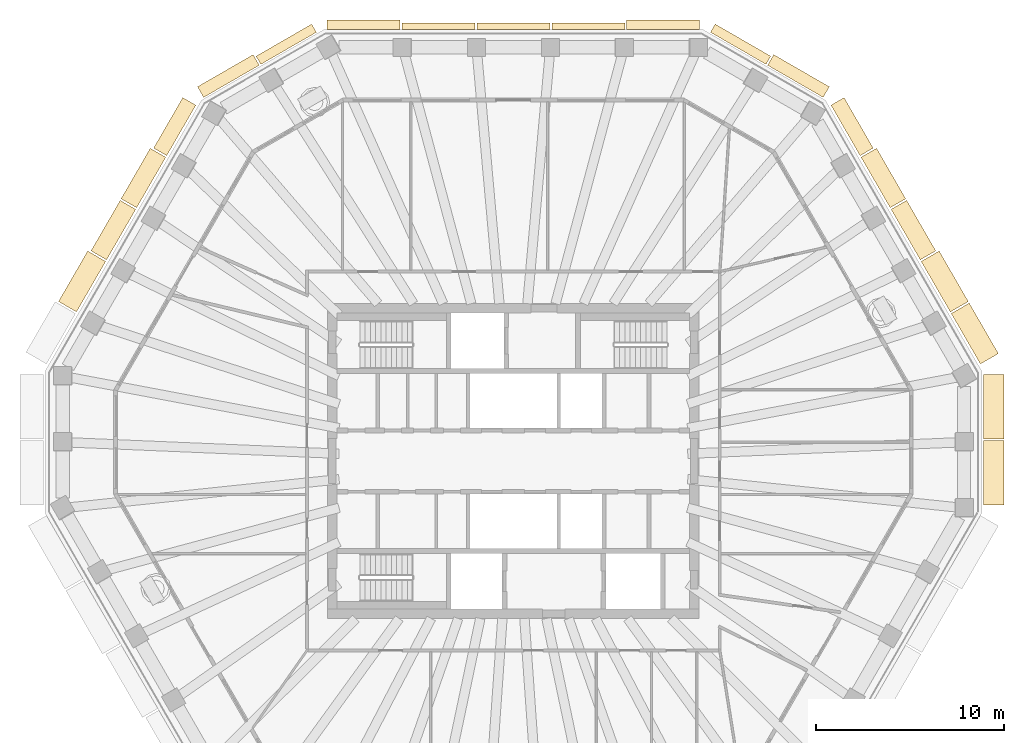
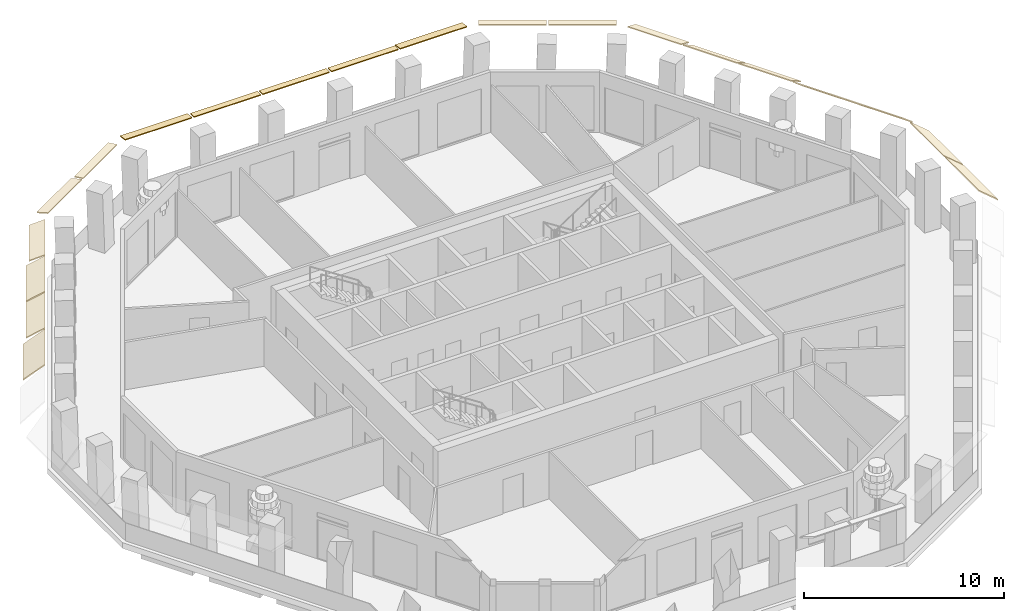
# One storey, part 9 of 11: 20 coverings.
"""IFC4 building model written with IfcOpenShell, lengths in metres."""

from ifc_helpers import new_model, si_unit, direction, frame, origin, place, context, subcontext, project, spatial, polyline, outline, extrude, material, layer, layer_set, type_object, element, save


model = new_model("IFC4")

# Units and contexts
model_context = context("Model", 3, precision=1e-05, world=origin(), true_north=direction((0.0, 1.0)))
body_context = subcontext(model_context, "Body", "Model", "MODEL_VIEW")
ifc_project = project(units=[si_unit("LENGTHUNIT", "METRE"), si_unit("AREAUNIT", "SQUARE_METRE"), si_unit("VOLUMEUNIT", "CUBIC_METRE"), si_unit("PLANEANGLEUNIT", "RADIAN"), si_unit("MASSUNIT", "GRAM", prefix="KILO")], contexts=[model_context])

# Site, building, storey
site_placement = place(None, origin())
site = spatial("IfcSite", under=ifc_project, at=site_placement, CompositionType="ELEMENT")
building_placement = place(site_placement, origin())
building = spatial("IfcBuilding", under=site, at=building_placement, Name="Frailejon Research Tower", CompositionType="ELEMENT")
storey_placement = place(building_placement, frame((0.0, 0.0, 295.0)))
storey = spatial("IfcBuildingStorey", under=building, at=storey_placement, Name="L65", CompositionType="ELEMENT", Elevation=295.0)

# Coverings
ifc_material_1 = material(Name="Precast concrete C50/60", Category="concrete")
ifc_layer_1 = layer(ifc_material_1, 0.06005859375)
ifc_layer_set_1 = layer_set([ifc_layer_1], Name="Brim blade depth 1100")
covering_type_1 = type_object("IfcCoveringType", Name="Brim blade depth 1100", PredefinedType="CLADDING", material=ifc_layer_set_1)
covering_1_placement = place(storey_placement, frame((24.927001953125, 1.081298828125, 3.85009765625), z_axis=(0.0, -1.0, 0.0), x_axis=(1.0, 0.0, 0.0)))
element("IfcCovering", 1, at=covering_1_placement, inside=storey, type_object=covering_type_1, Name="Brim blade L65", PredefinedType="CLADDING", context=body_context, shape_type="SweptSolid", body=[
    extrude(outline(polyline([(0.0, -0.078369140625), (1.10009765625, -1.001220703125), (1.10009765625, -0.923095703125), (0.0, 0.0), (0.0, -0.078369140625)])), origin(), (0.0, 0.0, 1.0), 3.40185546875),
])
covering_2_placement = place(storey_placement, frame((24.927001953125, 4.583251953125, 3.85009765625), z_axis=(0.0, -1.0, 0.0), x_axis=(1.0, 0.0, 0.0)))
element("IfcCovering", 2, at=covering_2_placement, inside=storey, type_object=covering_type_1, Name="Brim blade L65", PredefinedType="CLADDING", context=body_context, shape_type="SweptSolid", body=[
    extrude(outline(polyline([(0.0, -0.078369140625), (1.10009765625, -1.001220703125), (1.10009765625, -0.923095703125), (0.0, 0.0), (0.0, -0.078369140625)])), origin(), (0.0, 0.0, 1.0), 3.402099609375),
])
for number, where, z_axis, x_axis, name in (
    (3, (23.2294921875, 7.827880859375, 3.85009765625), (0.499995581785, -0.866027954627, 0.0), (0.866027954627, 0.499995581785, 0.0), "Brim blade L65"),
    (4, (21.63427734375, 10.5908203125, 3.85009765625), (0.500009154284, -0.866020118492, 0.0), (0.866020118492, 0.500009154284, 0.0), "Brim blade L65"),
    (5, (-23.179443359375, 7.91455078125, 3.85009765625), (0.500009154284, 0.866020118492, 0.0), (-0.866020118492, 0.500009154284, 0.0), "Brim blade L65"),
):
    element("IfcCovering", number, at=place(storey_placement, frame(where, z_axis=z_axis, x_axis=x_axis)), inside=storey, type_object=covering_type_1, Name=name, PredefinedType="CLADDING", context=body_context, shape_type="SweptSolid", body=[
        extrude(outline(polyline([(0.0, -0.078369140625), (1.10009765625, -1.001220703125), (1.10009765625, -0.923095703125), (0.0, 0.0), (0.0, -0.078369140625)])), origin(), (0.0, 0.0, 1.0), 3.09033203125),
    ])
ifc_material_2 = material(Name="Precast concrete C50/60", Category="concrete")
ifc_layer_2 = layer(ifc_material_2, 0.06005859375)
ifc_layer_set_2 = layer_set([ifc_layer_2], Name="Brim blade depth 350")
covering_type_2 = type_object("IfcCoveringType", Name="Brim blade depth 350", PredefinedType="CLADDING", material=ifc_layer_set_2)
for number, where, z_axis, x_axis, name in (
    (6, (2.037109375, 22.89990234375, 3.85009765625), (1.0, 0.0, 0.0), (0.0, 1.0, 0.0), "Brim blade L65"),
    (7, (-1.93701171875, 22.89990234375, 3.85009765625), (1.0, 0.0, 0.0), (0.0, 1.0, 0.0), "Brim blade L65"),
    (8, (-5.911376953125, 22.89990234375, 3.85009765625), (1.0, 0.0, 0.0), (0.0, 1.0, 0.0), "Brim blade L65"),
):
    element("IfcCovering", number, at=place(storey_placement, frame(where, z_axis=z_axis, x_axis=x_axis)), inside=storey, type_object=covering_type_2, Name=name, PredefinedType="CLADDING", context=body_context, shape_type="SweptSolid", body=[
        extrude(outline(polyline([(0.0, -0.06005859375), (0.35009765625, -0.06005859375), (0.35009765625, 0.0), (0.0, 0.0), (0.0, -0.06005859375)])), origin(), (0.0, 0.0, 1.0), 3.874267578125),
    ])
ifc_material_3 = material(Name="Precast concrete C50/60", Category="concrete")
ifc_layer_3 = layer(ifc_material_3, 0.06005859375)
ifc_layer_set_3 = layer_set([ifc_layer_3], Name="Brim blade depth 500")
covering_type_3 = type_object("IfcCoveringType", Name="Brim blade depth 500", PredefinedType="CLADDING", material=ifc_layer_set_3)
covering_3_placement = place(storey_placement, frame((10.453857421875, 22.747802734375, 3.85009765625), z_axis=(0.866023907216, -0.500002592124, 0.0), x_axis=(0.500002592124, 0.866023907216, 0.0)))
element("IfcCovering", 9, at=covering_3_placement, inside=storey, type_object=covering_type_3, Name="Brim blade L65", PredefinedType="CLADDING", context=body_context, shape_type="SweptSolid", body=[
    extrude(outline(polyline([(0.0, -0.060546875), (0.5, -0.130859375), (0.5, -0.0703125), (0.0, 0.0), (0.0, -0.060546875)])), origin(), (0.0, 0.0, 1.0), 3.402099609375),
])
for number, where, z_axis, x_axis, name in (
    (10, (6.01123046875, 22.89990234375, 3.85009765625), (1.0, 0.0, 0.0), (0.0, 1.0, 0.0), "Brim blade L65"),
    (11, (-9.885498046875, 22.89990234375, 3.85009765625), (1.0, 0.0, 0.0), (0.0, 1.0, 0.0), "Brim blade L65"),
):
    element("IfcCovering", number, at=place(storey_placement, frame(where, z_axis=z_axis, x_axis=x_axis)), inside=storey, type_object=covering_type_3, Name=name, PredefinedType="CLADDING", context=body_context, shape_type="SweptSolid", body=[
        extrude(outline(polyline([(0.0, -0.060546875), (0.5, -0.130859375), (0.5, -0.0703125), (0.0, 0.0), (0.0, -0.060546875)])), origin(), (0.0, 0.0, 1.0), 3.874267578125),
    ])
covering_4_placement = place(storey_placement, frame((-13.39990234375, 21.046630859375, 3.85009765625), z_axis=(0.866023907216, 0.500002592124, 0.0), x_axis=(-0.500002592124, 0.866023907216, 0.0)))
element("IfcCovering", 12, at=covering_4_placement, inside=storey, type_object=covering_type_3, Name="Brim blade L65", PredefinedType="CLADDING", context=body_context, shape_type="SweptSolid", body=[
    extrude(outline(polyline([(0.0, -0.060546875), (0.5, -0.130859375), (0.5, -0.0703125), (0.0, 0.0), (0.0, -0.060546875)])), origin(), (0.0, 0.0, 1.0), 3.402099609375),
])
ifc_material_4 = material(Name="Precast concrete C50/60", Category="concrete")
ifc_layer_4 = layer(ifc_material_4, 0.06005859375)
ifc_layer_set_4 = layer_set([ifc_layer_4], Name="Brim blade depth 650")
covering_type_4 = type_object("IfcCoveringType", Name="Brim blade depth 650", PredefinedType="CLADDING", material=ifc_layer_set_4)
for number, where, z_axis, x_axis, name in (
    (13, (13.486572265625, 20.99658203125, 3.85009765625), (0.866023907216, -0.500002592124, 0.0), (0.500002592124, 0.866023907216, 0.0), "Brim blade L65"),
    (14, (-16.432861328125, 19.295654296875, 3.85009765625), (0.866023907216, 0.500002592124, 0.0), (-0.500002592124, 0.866023907216, 0.0), "Brim blade L65"),
):
    element("IfcCovering", number, at=place(storey_placement, frame(where, z_axis=z_axis, x_axis=x_axis)), inside=storey, type_object=covering_type_4, Name=name, PredefinedType="CLADDING", context=body_context, shape_type="SweptSolid", body=[
        extrude(outline(polyline([(0.0, -0.0625), (0.64990234375, -0.248779296875), (0.64990234375, -0.186279296875), (0.0, 0.0), (0.0, -0.0625)])), origin(), (0.0, 0.0, 1.0), 3.402099609375),
    ])
ifc_material_5 = material(Name="Precast concrete C50/60", Category="concrete")
ifc_layer_5 = layer(ifc_material_5, 0.06005859375)
ifc_layer_set_5 = layer_set([ifc_layer_5], Name="Brim blade depth 800")
covering_type_5 = type_object("IfcCoveringType", Name="Brim blade depth 800", PredefinedType="CLADDING", material=ifc_layer_set_5)
for number, where, z_axis, x_axis, name in (
    (15, (16.848876953125, 18.879638671875, 3.85009765625), (0.499985645962, -0.866033690934, 0.0), (0.866033690934, 0.499985645962, 0.0), "Brim blade L65"),
    (16, (-18.393798828125, 16.203369140625, 3.85009765625), (0.499985645962, 0.866033690934, 0.0), (-0.866033690934, 0.499985645962, 0.0), "Brim blade L65"),
):
    element("IfcCovering", number, at=place(storey_placement, frame(where, z_axis=z_axis, x_axis=x_axis)), inside=storey, type_object=covering_type_5, Name=name, PredefinedType="CLADDING", context=body_context, shape_type="SweptSolid", body=[
        extrude(outline(polyline([(0.0, -0.065673828125), (0.800048828125, -0.421875), (0.800048828125, -0.356201171875), (0.0, 0.0), (0.0, -0.065673828125)])), origin(), (0.0, 0.0, 1.0), 3.09033203125),
    ])
ifc_material_6 = material(Name="Precast concrete C50/60", Category="concrete")
ifc_layer_6 = layer(ifc_material_6, 0.06005859375)
ifc_layer_set_6 = layer_set([ifc_layer_6], Name="Brim blade depth 950")
covering_type_6 = type_object("IfcCoveringType", Name="Brim blade depth 950", PredefinedType="CLADDING", material=ifc_layer_set_6)
for number, where, z_axis, x_axis, name in (
    (17, (20.0390625, 13.353759765625, 3.85009765625), (0.500009154284, -0.866020118492, 0.0), (0.866020118492, 0.500009154284, 0.0), "Brim blade L65"),
    (18, (18.44384765625, 16.11669921875, 3.85009765625), (0.499995581785, -0.866027954627, 0.0), (0.866027954627, 0.499995581785, 0.0), "Brim blade L65"),
    (19, (-19.989013671875, 13.4404296875, 3.85009765625), (0.499995581785, 0.866027954627, 0.0), (-0.866027954627, 0.499995581785, 0.0), "Brim blade L65"),
    (20, (-21.584228515625, 10.677490234375, 3.85009765625), (0.500009154284, 0.866020118492, 0.0), (-0.866020118492, 0.500009154284, 0.0), "Brim blade L65"),
):
    element("IfcCovering", number, at=place(storey_placement, frame(where, z_axis=z_axis, x_axis=x_axis)), inside=storey, type_object=covering_type_6, Name=name, PredefinedType="CLADDING", context=body_context, shape_type="SweptSolid", body=[
        extrude(outline(polyline([(0.0, -0.07080078125), (0.949951171875, -0.664306640625), (0.949951171875, -0.593505859375), (0.0, 0.0), (0.0, -0.07080078125)])), origin(), (0.0, 0.0, 1.0), 3.09033203125),
    ])

save(model, "model.ifc")
